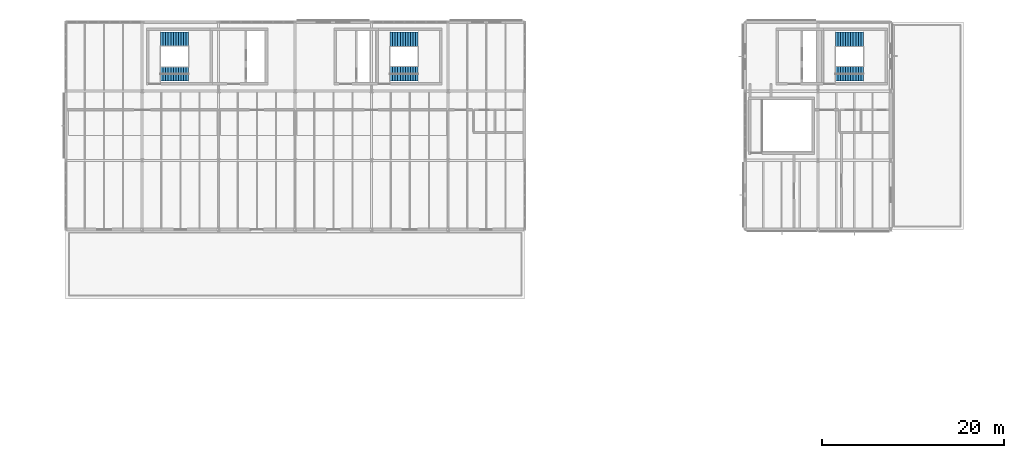
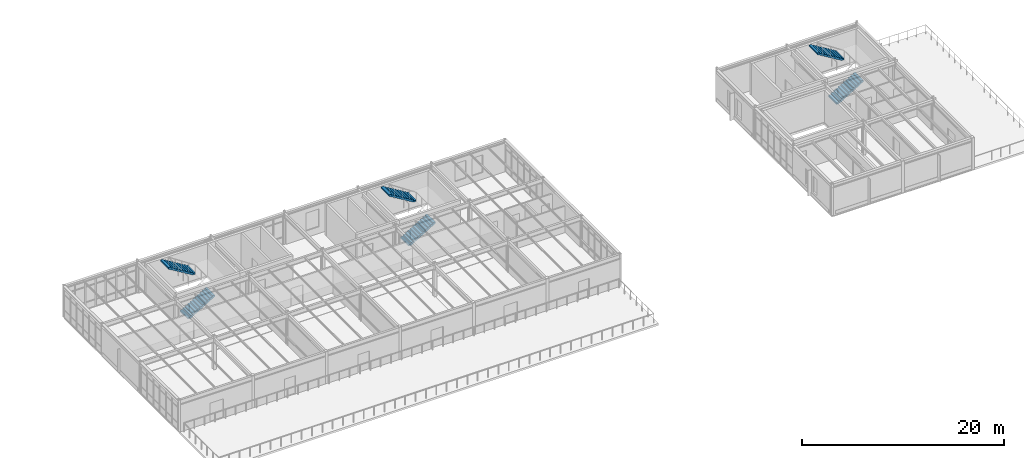
# One storey, part 56 of 65: 6 stair flights, 3 elements without a shape of their own.
"""IFC4 building model written with IfcOpenShell, lengths in metres."""

from ifc_helpers import new_model, si_unit, direction, frame, origin, place, context, subcontext, project, spatial, polyline, outline, extrude, material, type_object, element, aggregate, save


model = new_model("IFC4")

# Units and contexts
model_context = context("Model", 3, precision=1e-05, world=origin(), true_north=direction((0.0, 1.0)))
body_context = subcontext(model_context, "Body", "Model", "MODEL_VIEW")
ifc_project = project(units=[si_unit("LENGTHUNIT", "METRE"), si_unit("AREAUNIT", "SQUARE_METRE"), si_unit("VOLUMEUNIT", "CUBIC_METRE"), si_unit("PLANEANGLEUNIT", "RADIAN"), si_unit("MASSUNIT", "GRAM", prefix="KILO")], contexts=[model_context])

# Site, building, storey
site_placement = place(None, origin())
site = spatial("IfcSite", under=ifc_project, at=site_placement, CompositionType="ELEMENT")
building_placement = place(site_placement, origin())
building = spatial("IfcBuilding", under=site, at=building_placement, Name="Montecoro Central Library", CompositionType="ELEMENT")
storey_placement = place(building_placement, frame((0.0, 0.0, 17.340087890625)))
storey = spatial("IfcBuildingStorey", under=building, at=storey_placement, Name="L04", CompositionType="ELEMENT", Elevation=17.340087890625)

# Stair, stair flights
ifc_material = material(Name="Concrete C35/45", Category="concrete")
stair_type_1 = type_object("IfcStairType", Name="STR-RET-155", PredefinedType="HALF_TURN_STAIR", material=ifc_material)
stair_1_placement = place(storey_placement, origin())
stair_1 = element("IfcStair", 1, at=stair_1_placement, inside=storey, type_object=stair_type_1, Name="C2-L04-STR", PredefinedType="HALF_TURN_STAIR")
stair_flight_type_1 = type_object("IfcStairFlightType", Name="SFL-02", PredefinedType="STRAIGHT", material=ifc_material)
stair_flight_1_placement = place(storey_placement, frame((76.820068359375, 113.27490234375, 0.0), z_axis=(0.0, 0.0, 1.0), x_axis=(1.0, 0.0, 0.0)))
stair_flight_1 = element("IfcStairFlight", 2, at=stair_flight_1_placement, type_object=stair_flight_type_1, Name="ST-02 flight 1", NumberOfRisers=12, NumberOfTreads=11, PredefinedType="STRAIGHT", RiserHeight=0.17, TreadLength=0.28, context=body_context, shape_type="SweptSolid", body=[
    extrude(outline(polyline([(0.0, 0.0), (0.0, 0.169921875), (0.280029296875, 0.169921875), (0.280029296875, 0.340087890625), (0.56005859375, 0.340087890625), (0.56005859375, 0.510009765625), (0.840087890625, 0.510009765625), (0.840087890625, 0.679931640625), (1.1201171875, 0.679931640625), (1.1201171875, 0.85009765625), (1.39990234375, 0.85009765625), (1.39990234375, 1.02001953125), (1.679931640625, 1.02001953125), (1.679931640625, 1.18994140625), (1.9599609375, 1.18994140625), (1.9599609375, 1.360107421875), (2.239990234375, 1.360107421875), (2.239990234375, 1.530029296875), (2.52001953125, 1.530029296875), (2.52001953125, 1.699951171875), (2.800048828125, 1.699951171875), (2.800048828125, 1.8701171875), (3.080078125, 1.8701171875), (3.080078125, 2.0400390625), (3.080078125, 1.682861328125), (0.30810546875, 0.0), (0.0, 0.0)])), frame((0.0, 0.77490234375, 0.0), z_axis=(0.0, -1.0, 0.0), x_axis=(1.0, 0.0, 0.0)), (0.0, 0.0, 1.0), 1.550048828125),
])
stair_flight_2_placement = place(storey_placement, frame((79.89990234375, 117.125, 2.039794921875), z_axis=(0.0, 0.0, 1.0), x_axis=(-1.0, 0.0, 0.0)))
stair_flight_2 = element("IfcStairFlight", 3, at=stair_flight_2_placement, type_object=stair_flight_type_1, Name="ST-02 flight 2", NumberOfRisers=12, NumberOfTreads=11, PredefinedType="STRAIGHT", RiserHeight=0.17, TreadLength=0.28, context=body_context, shape_type="SweptSolid", body=[
    extrude(outline(polyline([(0.0, 0.0), (0.0, 0.169921875), (0.280029296875, 0.169921875), (0.280029296875, 0.340087890625), (0.56005859375, 0.340087890625), (0.56005859375, 0.510009765625), (0.840087890625, 0.510009765625), (0.840087890625, 0.679931640625), (1.1201171875, 0.679931640625), (1.1201171875, 0.85009765625), (1.39990234375, 0.85009765625), (1.39990234375, 1.02001953125), (1.679931640625, 1.02001953125), (1.679931640625, 1.18994140625), (1.9599609375, 1.18994140625), (1.9599609375, 1.360107421875), (2.239990234375, 1.360107421875), (2.239990234375, 1.530029296875), (2.52001953125, 1.530029296875), (2.52001953125, 1.699951171875), (2.800048828125, 1.699951171875), (2.800048828125, 1.8701171875), (3.080078125, 1.8701171875), (3.080078125, 2.0400390625), (3.080078125, 1.682861328125), (0.30810546875, 0.0), (0.0, 0.0)])), frame((0.0, 0.77490234375, 0.0), z_axis=(0.0, -1.0, 0.0), x_axis=(1.0, 0.0, 0.0)), (0.0, 0.0, 1.0), 1.550048828125),
])
aggregate(stair_1, [stair_flight_1, stair_flight_2])

stair_type_2 = type_object("IfcStairType", Name="STR-RET-160", PredefinedType="HALF_TURN_STAIR", material=ifc_material)
stair_2_placement = place(storey_placement, origin())
stair_2 = element("IfcStair", 4, at=stair_2_placement, inside=storey, type_object=stair_type_2, Name="C3-L04-STR", PredefinedType="HALF_TURN_STAIR")
stair_flight_type_2 = type_object("IfcStairFlightType", Name="SFL-03", PredefinedType="STRAIGHT", material=ifc_material)
stair_flight_3_placement = place(storey_placement, frame((102.02001953125, 113.300048828125, 0.0), z_axis=(0.0, 0.0, 1.0), x_axis=(1.0, 0.0, 0.0)))
stair_flight_3 = element("IfcStairFlight", 5, at=stair_flight_3_placement, type_object=stair_flight_type_2, Name="ST-03 flight 1", NumberOfRisers=12, NumberOfTreads=11, PredefinedType="STRAIGHT", RiserHeight=0.17, TreadLength=0.28, context=body_context, shape_type="SweptSolid", body=[
    extrude(outline(polyline([(0.0, 0.0), (0.0, 0.169921875), (0.280029296875, 0.169921875), (0.280029296875, 0.340087890625), (0.56005859375, 0.340087890625), (0.56005859375, 0.510009765625), (0.840087890625, 0.510009765625), (0.840087890625, 0.679931640625), (1.1201171875, 0.679931640625), (1.1201171875, 0.85009765625), (1.39990234375, 0.85009765625), (1.39990234375, 1.02001953125), (1.679931640625, 1.02001953125), (1.679931640625, 1.18994140625), (1.9599609375, 1.18994140625), (1.9599609375, 1.360107421875), (2.239990234375, 1.360107421875), (2.239990234375, 1.530029296875), (2.52001953125, 1.530029296875), (2.52001953125, 1.699951171875), (2.800048828125, 1.699951171875), (2.800048828125, 1.8701171875), (3.080078125, 1.8701171875), (3.080078125, 2.0400390625), (3.080078125, 1.682861328125), (0.30810546875, 0.0), (0.0, 0.0)])), frame((0.0, 0.800048828125, 0.0), z_axis=(0.0, -1.0, 0.0), x_axis=(1.0, 0.0, 0.0)), (0.0, 0.0, 1.0), 1.60009765625),
])
stair_flight_4_placement = place(storey_placement, frame((105.10009765625, 117.10009765625, 2.039794921875), z_axis=(0.0, 0.0, 1.0), x_axis=(-1.0, 0.0, 0.0)))
stair_flight_4 = element("IfcStairFlight", 6, at=stair_flight_4_placement, type_object=stair_flight_type_2, Name="ST-03 flight 2", NumberOfRisers=12, NumberOfTreads=11, PredefinedType="STRAIGHT", RiserHeight=0.17, TreadLength=0.28, context=body_context, shape_type="SweptSolid", body=[
    extrude(outline(polyline([(0.0, 0.0), (0.0, 0.169921875), (0.280029296875, 0.169921875), (0.280029296875, 0.340087890625), (0.56005859375, 0.340087890625), (0.56005859375, 0.510009765625), (0.840087890625, 0.510009765625), (0.840087890625, 0.679931640625), (1.1201171875, 0.679931640625), (1.1201171875, 0.85009765625), (1.39990234375, 0.85009765625), (1.39990234375, 1.02001953125), (1.679931640625, 1.02001953125), (1.679931640625, 1.18994140625), (1.9599609375, 1.18994140625), (1.9599609375, 1.360107421875), (2.239990234375, 1.360107421875), (2.239990234375, 1.530029296875), (2.52001953125, 1.530029296875), (2.52001953125, 1.699951171875), (2.800048828125, 1.699951171875), (2.800048828125, 1.8701171875), (3.080078125, 1.8701171875), (3.080078125, 2.0400390625), (3.080078125, 1.682861328125), (0.30810546875, 0.0), (0.0, 0.0)])), frame((0.0, 0.800048828125, 0.0), z_axis=(0.0, -1.0, 0.0), x_axis=(1.0, 0.0, 0.0)), (0.0, 0.0, 1.0), 1.60009765625),
])
aggregate(stair_2, [stair_flight_3, stair_flight_4])

stair_3_placement = place(storey_placement, origin())
stair_3 = element("IfcStair", 7, at=stair_3_placement, inside=storey, type_object=stair_type_2, Name="C6-L04-STR", PredefinedType="HALF_TURN_STAIR")
stair_flight_5_placement = place(storey_placement, frame((150.919921875, 113.300048828125, 0.0), z_axis=(0.0, 0.0, 1.0), x_axis=(1.0, 0.0, 0.0)))
stair_flight_5 = element("IfcStairFlight", 8, at=stair_flight_5_placement, type_object=stair_flight_type_2, Name="ST-06 flight 1", NumberOfRisers=12, NumberOfTreads=11, PredefinedType="STRAIGHT", RiserHeight=0.17, TreadLength=0.28, context=body_context, shape_type="SweptSolid", body=[
    extrude(outline(polyline([(0.0, 0.0), (0.0, 0.169921875), (0.280029296875, 0.169921875), (0.280029296875, 0.340087890625), (0.56005859375, 0.340087890625), (0.56005859375, 0.510009765625), (0.840087890625, 0.510009765625), (0.840087890625, 0.679931640625), (1.1201171875, 0.679931640625), (1.1201171875, 0.85009765625), (1.39990234375, 0.85009765625), (1.39990234375, 1.02001953125), (1.679931640625, 1.02001953125), (1.679931640625, 1.18994140625), (1.9599609375, 1.18994140625), (1.9599609375, 1.360107421875), (2.239990234375, 1.360107421875), (2.239990234375, 1.530029296875), (2.52001953125, 1.530029296875), (2.52001953125, 1.699951171875), (2.800048828125, 1.699951171875), (2.800048828125, 1.8701171875), (3.080078125, 1.8701171875), (3.080078125, 2.0400390625), (3.080078125, 1.682861328125), (0.30810546875, 0.0), (0.0, 0.0)])), frame((0.0, 0.800048828125, 0.0), z_axis=(0.0, -1.0, 0.0), x_axis=(1.0, 0.0, 0.0)), (0.0, 0.0, 1.0), 1.60009765625),
])
stair_flight_6_placement = place(storey_placement, frame((154.0, 117.10009765625, 2.039794921875), z_axis=(0.0, 0.0, 1.0), x_axis=(-1.0, 0.0, 0.0)))
stair_flight_6 = element("IfcStairFlight", 9, at=stair_flight_6_placement, type_object=stair_flight_type_2, Name="ST-06 flight 2", NumberOfRisers=12, NumberOfTreads=11, PredefinedType="STRAIGHT", RiserHeight=0.17, TreadLength=0.28, context=body_context, shape_type="SweptSolid", body=[
    extrude(outline(polyline([(0.0, 0.0), (0.0, 0.169921875), (0.280029296875, 0.169921875), (0.280029296875, 0.340087890625), (0.56005859375, 0.340087890625), (0.56005859375, 0.510009765625), (0.840087890625, 0.510009765625), (0.840087890625, 0.679931640625), (1.1201171875, 0.679931640625), (1.1201171875, 0.85009765625), (1.39990234375, 0.85009765625), (1.39990234375, 1.02001953125), (1.679931640625, 1.02001953125), (1.679931640625, 1.18994140625), (1.9599609375, 1.18994140625), (1.9599609375, 1.360107421875), (2.239990234375, 1.360107421875), (2.239990234375, 1.530029296875), (2.52001953125, 1.530029296875), (2.52001953125, 1.699951171875), (2.800048828125, 1.699951171875), (2.800048828125, 1.8701171875), (3.080078125, 1.8701171875), (3.080078125, 2.0400390625), (3.080078125, 1.682861328125), (0.30810546875, 0.0), (0.0, 0.0)])), frame((0.0, 0.800048828125, 0.0), z_axis=(0.0, -1.0, 0.0), x_axis=(1.0, 0.0, 0.0)), (0.0, 0.0, 1.0), 1.60009765625),
])
aggregate(stair_3, [stair_flight_5, stair_flight_6])

save(model, "model.ifc")
